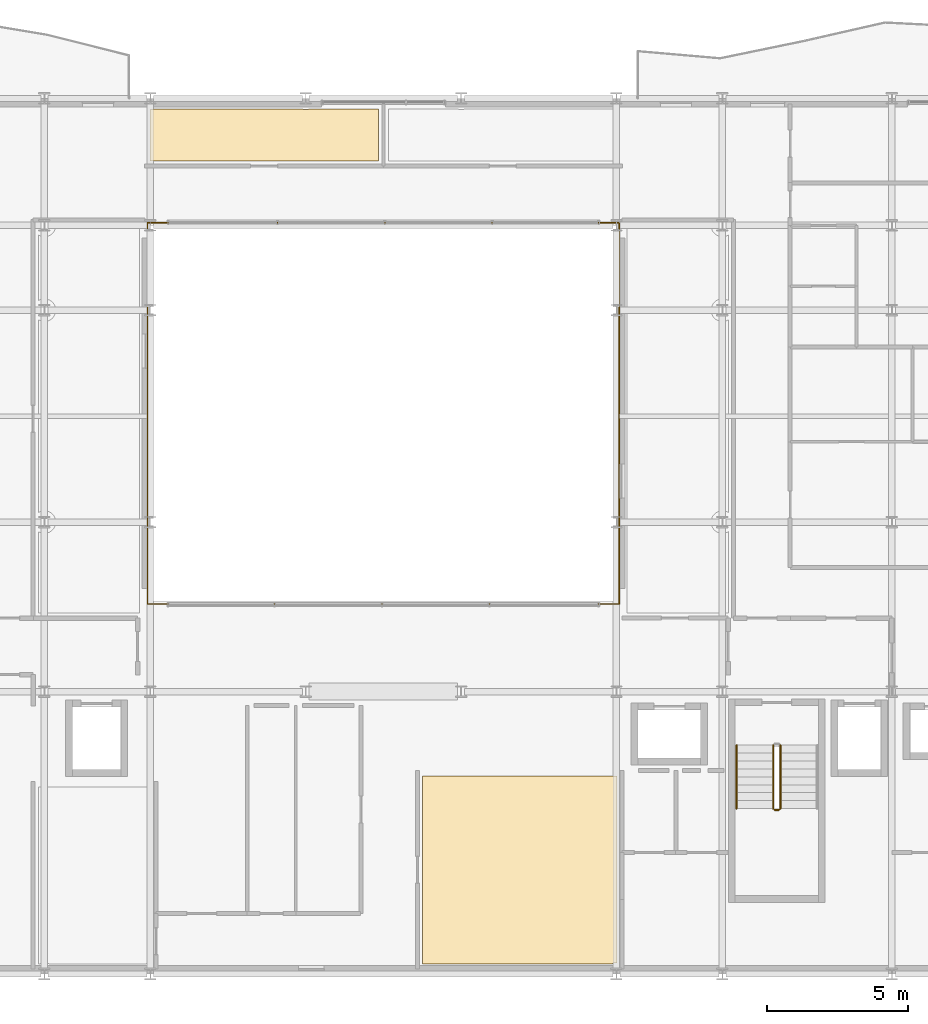
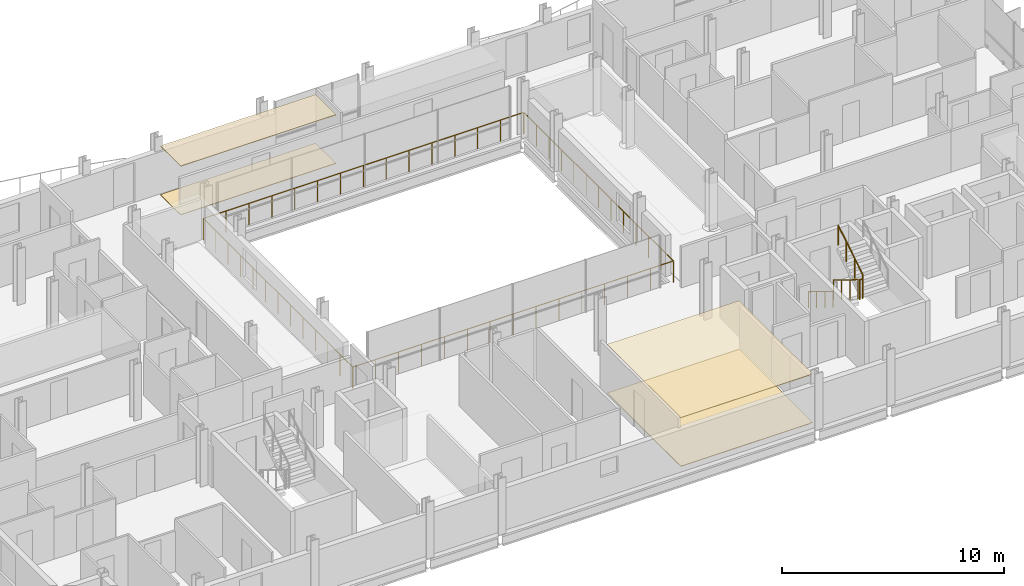
# One storey, part 38 of 40: 6 railings, 4 coverings.
"""IFC4 building model written with IfcOpenShell, lengths in metres."""

from ifc_helpers import new_model, si_unit, direction, frame, origin, origin_2d, place, context, subcontext, project, spatial, polyline, circle, outline, extrude, material, layer, layer_set, type_object, element, save


model = new_model("IFC4")

# Units and contexts
model_context = context("Model", 3, precision=1e-05, world=origin(), true_north=direction((0.0, 1.0)))
body_context = subcontext(model_context, "Body", "Model", "MODEL_VIEW")
ifc_project = project(units=[si_unit("LENGTHUNIT", "METRE"), si_unit("AREAUNIT", "SQUARE_METRE"), si_unit("VOLUMEUNIT", "CUBIC_METRE"), si_unit("PLANEANGLEUNIT", "RADIAN"), si_unit("MASSUNIT", "GRAM", prefix="KILO")], contexts=[model_context])

# Site, building, storey
site_placement = place(None, origin())
site = spatial("IfcSite", under=ifc_project, at=site_placement, CompositionType="ELEMENT")
building_placement = place(site_placement, origin())
building = spatial("IfcBuilding", under=site, at=building_placement, Name="Brevholm Reach", CompositionType="ELEMENT")
storey_placement = place(building_placement, frame((0.0, 0.0, 160.39990234375)))
storey = spatial("IfcBuildingStorey", under=building, at=storey_placement, Name="L48", CompositionType="ELEMENT", Elevation=160.39990234375)

# Coverings
ifc_material_1 = material(Name="Moisture-Resistant Skimmed Gypsum Plasterboard Ceiling", Category="gypsum")
ifc_layer_1 = layer(ifc_material_1, 0.030029296875)
ifc_layer_set_1 = layer_set([ifc_layer_1], Name="Moisture-Resistant Skimmed Gypsum Plasterboard Ceiling")
covering_type_1 = type_object("IfcCoveringType", Name="COV-CLG-GYP", PredefinedType="CEILING", material=ifc_layer_set_1)
covering_1_placement = place(storey_placement, frame((0.0, 0.0, 2.68017578125)))
element("IfcCovering", 1, at=covering_1_placement, inside=storey, type_object=covering_type_1, Name="L48 Suspended Ceiling L48-13", PredefinedType="CEILING", context=body_context, shape_type="SweptSolid", body=[
    extrude(outline(polyline([(38.27001953125, 7.02001953125), (38.27001953125, 0.39892578125), (38.25, 0.39990234375), (38.210693359375, 0.398193359375), (38.172119140625, 0.392333984375), (38.1337890625, 0.3828125), (38.096923828125, 0.36962890625), (38.07666015625, 0.360107421875), (31.384033203125, 0.360107421875), (31.384033203125, 7.02001953125), (38.27001953125, 7.02001953125)])), origin(), (0.0, 0.0, 1.0), 0.030029296875),
])
covering_2_placement = place(storey_placement, frame((0.0, 0.0, 2.68017578125)))
element("IfcCovering", 2, at=covering_2_placement, inside=storey, type_object=covering_type_1, Name="L48 Suspended Ceiling L48-66", PredefinedType="CEILING", context=body_context, shape_type="SweptSolid", body=[
    extrude(outline(polyline([(27.126220703125, 30.6201171875), (27.1337890625, 30.6171875), (27.172119140625, 30.607666015625), (27.210693359375, 30.601806640625), (27.25, 30.60009765625), (27.289306640625, 30.601806640625), (27.327880859375, 30.607666015625), (27.3662109375, 30.6171875), (27.373779296875, 30.6201171875), (29.820068359375, 30.6201171875), (29.820068359375, 28.783935546875), (21.73388671875, 28.783935546875), (21.73388671875, 30.600830078125), (21.75, 30.60009765625), (21.789306640625, 30.601806640625), (21.827880859375, 30.607666015625), (21.8662109375, 30.6171875), (21.873779296875, 30.6201171875), (27.126220703125, 30.6201171875)])), origin(), (0.0, 0.0, 1.0), 0.030029296875),
])
ifc_material_2 = material(Name="Honed Portland-Aggregate Resin Terrazzo Flooring", Category="concrete")
ifc_layer_2 = layer(ifc_material_2, 0.031982421875)
ifc_layer_set_2 = layer_set([ifc_layer_2], Name="Honed Portland-Aggregate Resin Terrazzo Flooring")
covering_type_2 = type_object("IfcCoveringType", Name="COV-FLR-TRZ", PredefinedType="FLOORING", material=ifc_layer_set_2)
covering_3_placement = place(storey_placement, origin())
element("IfcCovering", 3, at=covering_3_placement, inside=storey, type_object=covering_type_2, Name="L48 Floor Finish L48-13", PredefinedType="FLOORING", context=body_context, shape_type="SweptSolid", body=[
    extrude(outline(polyline([(38.27001953125, 7.02001953125), (38.27001953125, 0.39892578125), (38.25, 0.39990234375), (38.210693359375, 0.398193359375), (38.172119140625, 0.392333984375), (38.1337890625, 0.3828125), (38.096923828125, 0.36962890625), (38.07666015625, 0.360107421875), (31.384033203125, 0.360107421875), (31.384033203125, 7.02001953125), (38.27001953125, 7.02001953125)])), origin(), (0.0, 0.0, 1.0), 0.031982421875),
])
covering_4_placement = place(storey_placement, origin())
element("IfcCovering", 4, at=covering_4_placement, inside=storey, type_object=covering_type_2, Name="L48 Floor Finish L48-66", PredefinedType="FLOORING", context=body_context, shape_type="SweptSolid", body=[
    extrude(outline(polyline([(27.126220703125, 30.6201171875), (27.1337890625, 30.6171875), (27.172119140625, 30.607666015625), (27.210693359375, 30.601806640625), (27.25, 30.60009765625), (27.289306640625, 30.601806640625), (27.327880859375, 30.607666015625), (27.3662109375, 30.6171875), (27.373779296875, 30.6201171875), (29.820068359375, 30.6201171875), (29.820068359375, 28.783935546875), (21.73388671875, 28.783935546875), (21.73388671875, 30.600830078125), (21.75, 30.60009765625), (21.789306640625, 30.601806640625), (21.827880859375, 30.607666015625), (21.8662109375, 30.6171875), (21.873779296875, 30.6201171875), (27.126220703125, 30.6201171875)])), origin(), (0.0, 0.0, 1.0), 0.031982421875),
])

# Railings
ifc_material_3 = material(Name="Brushed Stainless Steel EN 1.4401 Continuous Handrail", Category="steel")
railing_type_1 = type_object("IfcRailingType", Name="RAL-HND-950", PredefinedType="HANDRAIL", material=ifc_material_3)
railing_1_placement = place(storey_placement, frame((42.5, 8.10009765625, 0.17236328125)))
element("IfcRailing", 5, at=railing_1_placement, inside=storey, type_object=railing_type_1, Name="L48 ST-2 stair handrail 1", PredefinedType="HANDRAIL", context=body_context, shape_type="SweptSolid", body=[
    extrude(circle(Radius=0.02392578125, at=origin_2d()), frame((0.0, 0.0, 0.8857421875), z_axis=(0.0, -0.85178898068, 0.523885037382), x_axis=(1.0, 0.0, 0.0)), (0.0, 0.0, 1.0), 2.629638671875),
    extrude(circle(Radius=0.02099609375, at=origin_2d()), origin(), (0.0, 0.0, 1.0), 0.86181640625),
    extrude(circle(Radius=0.02099609375, at=origin_2d()), frame((0.0, -0.74658203125, 0.459228515625)), (0.0, 0.0, 1.0), 0.86181640625),
    extrude(circle(Radius=0.02099609375, at=origin_2d()), frame((0.0, -1.493408203125, 0.91845703125)), (0.0, 0.0, 1.0), 0.86181640625),
    extrude(circle(Radius=0.02099609375, at=origin_2d()), frame((0.0, -2.239990234375, 1.377685546875)), (0.0, 0.0, 1.0), 0.86181640625),
])
ifc_material_4 = material(Name="Painted Tubular Galvanised Steel S275JR Stair Guard", Category="steel")
railing_type_2 = type_object("IfcRailingType", Name="RAL-STG-1120", PredefinedType="BALUSTRADE", material=ifc_material_4)
railing_2_placement = place(storey_placement, frame((43.800048828125, 8.10009765625, 0.17236328125)))
element("IfcRailing", 6, at=railing_2_placement, inside=storey, type_object=railing_type_2, Name="L48 ST-2 stair guard 1", PredefinedType="BALUSTRADE", context=body_context, shape_type="SweptSolid", body=[
    extrude(circle(Radius=0.02392578125, at=origin_2d()), frame((0.0, 0.0, 1.076171875), z_axis=(0.0, -0.85178898068, 0.523885037382), x_axis=(1.0, 0.0, 0.0)), (0.0, 0.0, 1.0), 2.629638671875),
    extrude(circle(Radius=0.02099609375, at=origin_2d()), origin(), (0.0, 0.0, 1.0), 1.052001953125),
    extrude(circle(Radius=0.02099609375, at=origin_2d()), frame((0.0, -0.74658203125, 0.459228515625)), (0.0, 0.0, 1.0), 1.052001953125),
    extrude(circle(Radius=0.02099609375, at=origin_2d()), frame((0.0, -1.493408203125, 0.91845703125)), (0.0, 0.0, 1.0), 1.052001953125),
    extrude(circle(Radius=0.02099609375, at=origin_2d()), frame((0.0, -2.239990234375, 1.377685546875)), (0.0, 0.0, 1.0), 1.052001953125),
])
railing_3_placement = place(storey_placement, frame((43.85009765625, 5.81005859375, 1.550048828125)))
element("IfcRailing", 7, at=railing_3_placement, inside=storey, type_object=railing_type_2, Name="L48 ST-2 stair guard 2", PredefinedType="BALUSTRADE", context=body_context, shape_type="SweptSolid", body=[
    extrude(circle(Radius=0.02392578125, at=origin_2d()), frame((0.0, 0.0, 1.076171875), z_axis=(1.0, 0.0, 0.0), x_axis=(0.0, 1.0, 0.0)), (0.0, 0.0, 1.0), 0.14990234375),
    extrude(circle(Radius=0.02099609375, at=origin_2d()), origin(), (0.0, 0.0, 1.0), 1.052001953125),
    extrude(circle(Radius=0.02099609375, at=origin_2d()), frame((0.14990234375, 0.0, 0.0)), (0.0, 0.0, 1.0), 1.052001953125),
])
railing_4_placement = place(storey_placement, frame((44.050048828125, 5.860107421875, 1.722412109375)))
element("IfcRailing", 8, at=railing_4_placement, inside=storey, type_object=railing_type_2, Name="L48 ST-2 stair guard 3", PredefinedType="BALUSTRADE", context=body_context, shape_type="SweptSolid", body=[
    extrude(circle(Radius=0.02392578125, at=origin_2d()), frame((0.0, 0.0, 1.076171875), z_axis=(0.0, 0.85178898068, 0.523885037382), x_axis=(-1.0, 0.0, 0.0)), (0.0, 0.0, 1.0), 2.629638671875),
    extrude(circle(Radius=0.02099609375, at=origin_2d()), origin(), (0.0, 0.0, 1.0), 1.052001953125),
    extrude(circle(Radius=0.02099609375, at=origin_2d()), frame((0.0, 0.74658203125, 0.459228515625)), (0.0, 0.0, 1.0), 1.052001953125),
    extrude(circle(Radius=0.02099609375, at=origin_2d()), frame((0.0, 1.493408203125, 0.91845703125)), (0.0, 0.0, 1.0), 1.052001953125),
    extrude(circle(Radius=0.02099609375, at=origin_2d()), frame((0.0, 2.239990234375, 1.377685546875)), (0.0, 0.0, 1.0), 1.052001953125),
])
ifc_material_5 = material(Name="Brushed Stainless Steel EN 1.4401 and Laminated Glass", Category="steel")
railing_type_3 = type_object("IfcRailingType", Name="RAL-TERR-1200", PredefinedType="BALUSTRADE", material=ifc_material_5)
railing_5_placement = place(storey_placement, frame((21.64990234375, 13.10009765625, 0.0)))
element("IfcRailing", 9, at=railing_5_placement, inside=storey, type_object=railing_type_3, Name="L48 Guard Balustrade RAL-L48-AT-VOID-SW", PredefinedType="BALUSTRADE", context=body_context, shape_type="SweptSolid", body=[
    extrude(circle(Radius=0.02392578125, at=origin_2d()), frame((0.0, 0.0, 1.17578125), z_axis=(1.0, 0.0, 0.0), x_axis=(0.0, 1.0, 0.0)), (0.0, 0.0, 1.0), 16.7001953125),
    extrude(circle(Radius=0.02392578125, at=origin_2d()), frame((16.7001953125, 0.0, 1.17578125), z_axis=(0.0, 1.0, 0.0), x_axis=(-1.0, 0.0, 0.0)), (0.0, 0.0, 1.0), 13.47998046875),
    extrude(circle(Radius=0.02099609375, at=origin_2d()), origin(), (0.0, 0.0, 1.0), 1.15185546875),
    extrude(circle(Radius=0.02099609375, at=origin_2d()), frame((1.19287109375, 0.0, 0.0)), (0.0, 0.0, 1.0), 1.15185546875),
    extrude(circle(Radius=0.02099609375, at=origin_2d()), frame((2.3857421875, 0.0, 0.0)), (0.0, 0.0, 1.0), 1.15185546875),
    extrude(circle(Radius=0.02099609375, at=origin_2d()), frame((3.57861328125, 0.0, 0.0)), (0.0, 0.0, 1.0), 1.15185546875),
    extrude(circle(Radius=0.02099609375, at=origin_2d()), frame((4.771484375, 0.0, 0.0)), (0.0, 0.0, 1.0), 1.15185546875),
    extrude(circle(Radius=0.02099609375, at=origin_2d()), frame((5.96435546875, 0.0, 0.0)), (0.0, 0.0, 1.0), 1.15185546875),
    extrude(circle(Radius=0.02099609375, at=origin_2d()), frame((7.1572265625, 0.0, 0.0)), (0.0, 0.0, 1.0), 1.15185546875),
    extrude(circle(Radius=0.02099609375, at=origin_2d()), frame((8.35009765625, 0.0, 0.0)), (0.0, 0.0, 1.0), 1.15185546875),
    extrude(circle(Radius=0.02099609375, at=origin_2d()), frame((9.54296875, 0.0, 0.0)), (0.0, 0.0, 1.0), 1.15185546875),
    extrude(circle(Radius=0.02099609375, at=origin_2d()), frame((10.73583984375, 0.0, 0.0)), (0.0, 0.0, 1.0), 1.15185546875),
    extrude(circle(Radius=0.02099609375, at=origin_2d()), frame((11.9287109375, 0.0, 0.0)), (0.0, 0.0, 1.0), 1.15185546875),
    extrude(circle(Radius=0.02099609375, at=origin_2d()), frame((13.12158203125, 0.0, 0.0)), (0.0, 0.0, 1.0), 1.15185546875),
    extrude(circle(Radius=0.02099609375, at=origin_2d()), frame((14.314453125, 0.0, 0.0)), (0.0, 0.0, 1.0), 1.15185546875),
    extrude(circle(Radius=0.02099609375, at=origin_2d()), frame((15.50732421875, 0.0, 0.0)), (0.0, 0.0, 1.0), 1.15185546875),
    extrude(circle(Radius=0.02099609375, at=origin_2d()), frame((16.7001953125, 0.0, 0.0)), (0.0, 0.0, 1.0), 1.15185546875),
    extrude(circle(Radius=0.02099609375, at=origin_2d()), frame((16.7001953125, 1.123291015625, 0.0)), (0.0, 0.0, 1.0), 1.15185546875),
    extrude(circle(Radius=0.02099609375, at=origin_2d()), frame((16.7001953125, 2.24658203125, 0.0)), (0.0, 0.0, 1.0), 1.15185546875),
    extrude(circle(Radius=0.02099609375, at=origin_2d()), frame((16.7001953125, 3.3701171875, 0.0)), (0.0, 0.0, 1.0), 1.15185546875),
    extrude(circle(Radius=0.02099609375, at=origin_2d()), frame((16.7001953125, 4.493408203125, 0.0)), (0.0, 0.0, 1.0), 1.15185546875),
    extrude(circle(Radius=0.02099609375, at=origin_2d()), frame((16.7001953125, 5.61669921875, 0.0)), (0.0, 0.0, 1.0), 1.15185546875),
    extrude(circle(Radius=0.02099609375, at=origin_2d()), frame((16.7001953125, 6.739990234375, 0.0)), (0.0, 0.0, 1.0), 1.15185546875),
    extrude(circle(Radius=0.02099609375, at=origin_2d()), frame((16.7001953125, 7.86328125, 0.0)), (0.0, 0.0, 1.0), 1.15185546875),
    extrude(circle(Radius=0.02099609375, at=origin_2d()), frame((16.7001953125, 8.986572265625, 0.0)), (0.0, 0.0, 1.0), 1.15185546875),
    extrude(circle(Radius=0.02099609375, at=origin_2d()), frame((16.7001953125, 10.10986328125, 0.0)), (0.0, 0.0, 1.0), 1.15185546875),
    extrude(circle(Radius=0.02099609375, at=origin_2d()), frame((16.7001953125, 11.2333984375, 0.0)), (0.0, 0.0, 1.0), 1.15185546875),
    extrude(circle(Radius=0.02099609375, at=origin_2d()), frame((16.7001953125, 12.356689453125, 0.0)), (0.0, 0.0, 1.0), 1.15185546875),
    extrude(circle(Radius=0.02099609375, at=origin_2d()), frame((16.7001953125, 13.47998046875, 0.0)), (0.0, 0.0, 1.0), 1.15185546875),
])
railing_6_placement = place(storey_placement, frame((38.330078125, 26.60009765625, 0.0)))
element("IfcRailing", 10, at=railing_6_placement, inside=storey, type_object=railing_type_3, Name="L48 Guard Balustrade RAL-L48-AT-VOID-NE", PredefinedType="BALUSTRADE", context=body_context, shape_type="SweptSolid", body=[
    extrude(circle(Radius=0.02392578125, at=origin_2d()), frame((0.0, 0.0, 1.17578125), z_axis=(-1.0, 0.0, 0.0), x_axis=(0.0, -1.0, 0.0)), (0.0, 0.0, 1.0), 16.68017578125),
    extrude(circle(Radius=0.02392578125, at=origin_2d()), frame((-16.68017578125, 0.0, 1.17578125), z_axis=(0.0, -1.0, 0.0), x_axis=(1.0, 0.0, 0.0)), (0.0, 0.0, 1.0), 13.47998046875),
    extrude(circle(Radius=0.02099609375, at=origin_2d()), origin(), (0.0, 0.0, 1.0), 1.15185546875),
    extrude(circle(Radius=0.02099609375, at=origin_2d()), frame((-1.19140625, 0.0, 0.0)), (0.0, 0.0, 1.0), 1.15185546875),
    extrude(circle(Radius=0.02099609375, at=origin_2d()), frame((-2.3828125, 0.0, 0.0)), (0.0, 0.0, 1.0), 1.15185546875),
    extrude(circle(Radius=0.02099609375, at=origin_2d()), frame((-3.57421875, 0.0, 0.0)), (0.0, 0.0, 1.0), 1.15185546875),
    extrude(circle(Radius=0.02099609375, at=origin_2d()), frame((-4.765869140625, 0.0, 0.0)), (0.0, 0.0, 1.0), 1.15185546875),
    extrude(circle(Radius=0.02099609375, at=origin_2d()), frame((-5.957275390625, 0.0, 0.0)), (0.0, 0.0, 1.0), 1.15185546875),
    extrude(circle(Radius=0.02099609375, at=origin_2d()), frame((-7.148681640625, 0.0, 0.0)), (0.0, 0.0, 1.0), 1.15185546875),
    extrude(circle(Radius=0.02099609375, at=origin_2d()), frame((-8.340087890625, 0.0, 0.0)), (0.0, 0.0, 1.0), 1.15185546875),
    extrude(circle(Radius=0.02099609375, at=origin_2d()), frame((-9.531494140625, 0.0, 0.0)), (0.0, 0.0, 1.0), 1.15185546875),
    extrude(circle(Radius=0.02099609375, at=origin_2d()), frame((-10.722900390625, 0.0, 0.0)), (0.0, 0.0, 1.0), 1.15185546875),
    extrude(circle(Radius=0.02099609375, at=origin_2d()), frame((-11.914306640625, 0.0, 0.0)), (0.0, 0.0, 1.0), 1.15185546875),
    extrude(circle(Radius=0.02099609375, at=origin_2d()), frame((-13.10595703125, 0.0, 0.0)), (0.0, 0.0, 1.0), 1.15185546875),
    extrude(circle(Radius=0.02099609375, at=origin_2d()), frame((-14.29736328125, 0.0, 0.0)), (0.0, 0.0, 1.0), 1.15185546875),
    extrude(circle(Radius=0.02099609375, at=origin_2d()), frame((-15.48876953125, 0.0, 0.0)), (0.0, 0.0, 1.0), 1.15185546875),
    extrude(circle(Radius=0.02099609375, at=origin_2d()), frame((-16.68017578125, 0.0, 0.0)), (0.0, 0.0, 1.0), 1.15185546875),
    extrude(circle(Radius=0.02099609375, at=origin_2d()), frame((-16.68017578125, -1.123291015625, 0.0)), (0.0, 0.0, 1.0), 1.15185546875),
    extrude(circle(Radius=0.02099609375, at=origin_2d()), frame((-16.68017578125, -2.24658203125, 0.0)), (0.0, 0.0, 1.0), 1.15185546875),
    extrude(circle(Radius=0.02099609375, at=origin_2d()), frame((-16.68017578125, -3.3701171875, 0.0)), (0.0, 0.0, 1.0), 1.15185546875),
    extrude(circle(Radius=0.02099609375, at=origin_2d()), frame((-16.68017578125, -4.493408203125, 0.0)), (0.0, 0.0, 1.0), 1.15185546875),
    extrude(circle(Radius=0.02099609375, at=origin_2d()), frame((-16.68017578125, -5.61669921875, 0.0)), (0.0, 0.0, 1.0), 1.15185546875),
    extrude(circle(Radius=0.02099609375, at=origin_2d()), frame((-16.68017578125, -6.739990234375, 0.0)), (0.0, 0.0, 1.0), 1.15185546875),
    extrude(circle(Radius=0.02099609375, at=origin_2d()), frame((-16.68017578125, -7.86328125, 0.0)), (0.0, 0.0, 1.0), 1.15185546875),
    extrude(circle(Radius=0.02099609375, at=origin_2d()), frame((-16.68017578125, -8.986572265625, 0.0)), (0.0, 0.0, 1.0), 1.15185546875),
    extrude(circle(Radius=0.02099609375, at=origin_2d()), frame((-16.68017578125, -10.10986328125, 0.0)), (0.0, 0.0, 1.0), 1.15185546875),
    extrude(circle(Radius=0.02099609375, at=origin_2d()), frame((-16.68017578125, -11.2333984375, 0.0)), (0.0, 0.0, 1.0), 1.15185546875),
    extrude(circle(Radius=0.02099609375, at=origin_2d()), frame((-16.68017578125, -12.356689453125, 0.0)), (0.0, 0.0, 1.0), 1.15185546875),
    extrude(circle(Radius=0.02099609375, at=origin_2d()), frame((-16.68017578125, -13.47998046875, 0.0)), (0.0, 0.0, 1.0), 1.15185546875),
])

save(model, "model.ifc")
